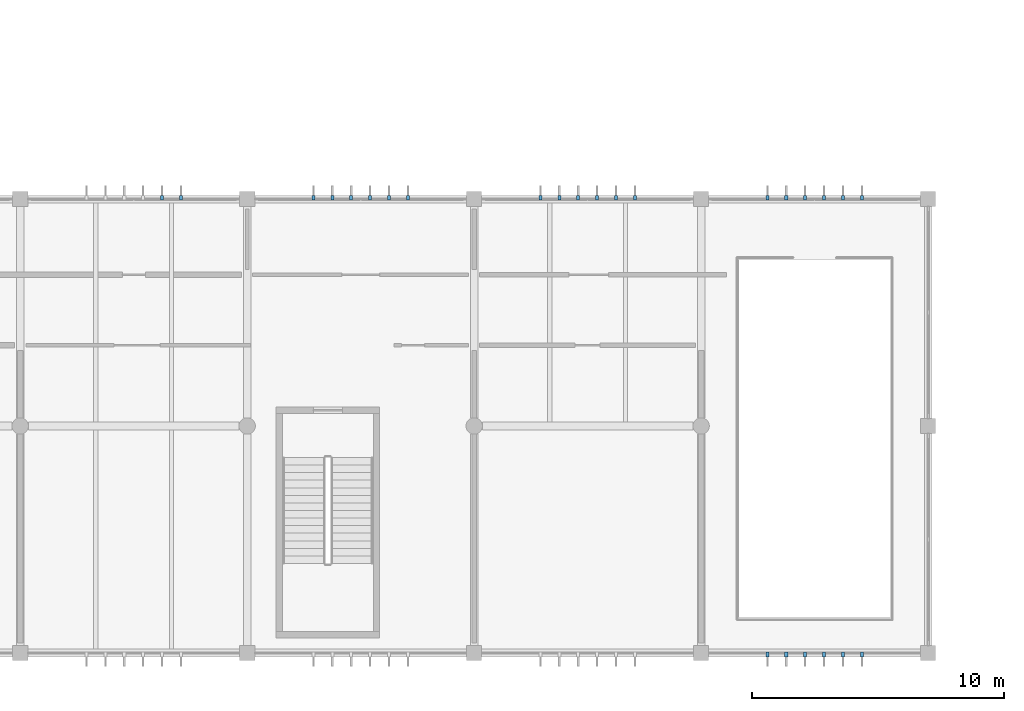
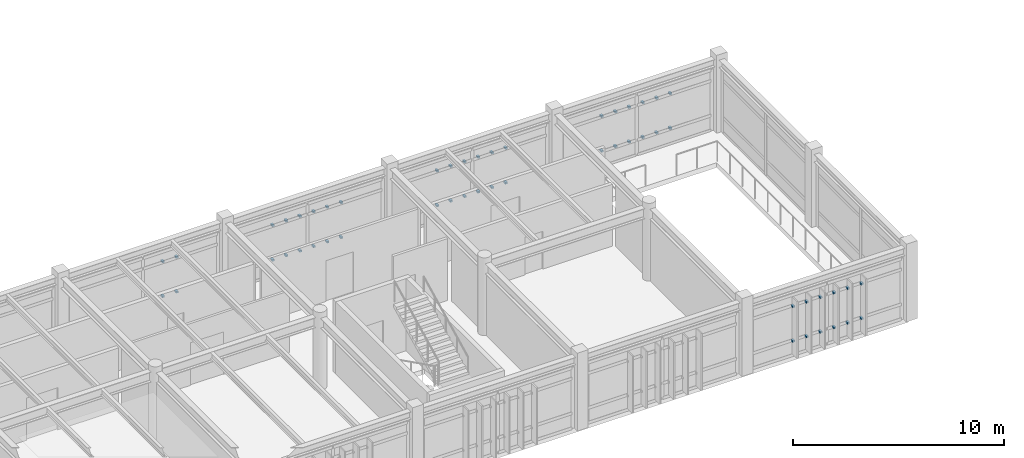
# One storey, part 49 of 55: 52 discrete accessories.
"""IFC4 building model written with IfcOpenShell, lengths in metres."""

from ifc_helpers import new_model, si_unit, direction, frame, origin, origin_2d, place, context, subcontext, project, spatial, rectangle, extrude, material, type_object, element, save


model = new_model("IFC4")

# Units and contexts
model_context = context("Model", 3, precision=1e-05, world=origin(), true_north=direction((0.0, 1.0)))
body_context = subcontext(model_context, "Body", "Model", "MODEL_VIEW")
ifc_project = project(units=[si_unit("LENGTHUNIT", "METRE"), si_unit("AREAUNIT", "SQUARE_METRE"), si_unit("VOLUMEUNIT", "CUBIC_METRE"), si_unit("PLANEANGLEUNIT", "RADIAN"), si_unit("MASSUNIT", "GRAM", prefix="KILO")], contexts=[model_context])

# Site, building, storey
site_placement = place(None, origin())
site = spatial("IfcSite", under=ifc_project, at=site_placement, CompositionType="ELEMENT")
building_placement = place(site_placement, origin())
building = spatial("IfcBuilding", under=site, at=building_placement, Name="Bozkorgan Art Gallery", CompositionType="ELEMENT")
storey_placement = place(building_placement, frame((0.0, 0.0, 15.0)))
storey = spatial("IfcBuildingStorey", under=building, at=storey_placement, Name="L03", CompositionType="ELEMENT", Elevation=15.0)

# Discrete accessories
ifc_material = material(Name="Steel S355J2", Category="steel")
discrete_accessory_type = type_object("IfcDiscreteAccessoryType", Name="ACC-BRK-01", PredefinedType="BRACKET", material=ifc_material)
for number, where, z_axis, x_axis, name in (
    (1, (34.625, 20.06005859375, 0.869873046875), (0.0, 0.0, 1.0), (0.0, 1.0, 0.0), "CW-V1-L03-1N-08 solar fin bracket 5B"),
    (2, (34.625, 20.06005859375, 2.875), (0.0, 0.0, 1.0), (0.0, 1.0, 0.0), "CW-V1-L03-1N-08 solar fin bracket 5T"),
    (3, (35.375, 20.06005859375, 0.869873046875), (0.0, 0.0, 1.0), (0.0, 1.0, 0.0), "CW-V1-L03-1N-08 solar fin bracket 6B"),
    (4, (35.375, 20.06005859375, 2.875), (0.0, 0.0, 1.0), (0.0, 1.0, 0.0), "CW-V1-L03-1N-08 solar fin bracket 6T"),
    (5, (40.625, 20.06005859375, 0.869873046875), (0.0, 0.0, 1.0), (0.0, 1.0, 0.0), "CW-V1-L03-1N-10 solar fin bracket 1B"),
    (6, (40.625, 20.06005859375, 2.875), (0.0, 0.0, 1.0), (0.0, 1.0, 0.0), "CW-V1-L03-1N-10 solar fin bracket 1T"),
    (7, (41.375, 20.06005859375, 0.869873046875), (0.0, 0.0, 1.0), (0.0, 1.0, 0.0), "CW-V1-L03-1N-10 solar fin bracket 2B"),
    (8, (41.375, 20.06005859375, 2.875), (0.0, 0.0, 1.0), (0.0, 1.0, 0.0), "CW-V1-L03-1N-10 solar fin bracket 2T"),
    (9, (42.125, 20.06005859375, 0.869873046875), (0.0, 0.0, 1.0), (0.0, 1.0, 0.0), "CW-V1-L03-1N-10 solar fin bracket 3B"),
    (10, (42.125, 20.06005859375, 2.875), (0.0, 0.0, 1.0), (0.0, 1.0, 0.0), "CW-V1-L03-1N-10 solar fin bracket 3T"),
    (11, (42.875, 20.06005859375, 0.869873046875), (0.0, 0.0, 1.0), (0.0, 1.0, 0.0), "CW-V1-L03-1N-10 solar fin bracket 4B"),
    (12, (42.875, 20.06005859375, 2.875), (0.0, 0.0, 1.0), (0.0, 1.0, 0.0), "CW-V1-L03-1N-10 solar fin bracket 4T"),
    (13, (43.625, 20.06005859375, 0.869873046875), (0.0, 0.0, 1.0), (0.0, 1.0, 0.0), "CW-V1-L03-1N-10 solar fin bracket 5B"),
    (14, (43.625, 20.06005859375, 2.875), (0.0, 0.0, 1.0), (0.0, 1.0, 0.0), "CW-V1-L03-1N-10 solar fin bracket 5T"),
    (15, (44.375, 20.06005859375, 0.869873046875), (0.0, 0.0, 1.0), (0.0, 1.0, 0.0), "CW-V1-L03-1N-10 solar fin bracket 6B"),
    (16, (44.375, 20.06005859375, 2.875), (0.0, 0.0, 1.0), (0.0, 1.0, 0.0), "CW-V1-L03-1N-10 solar fin bracket 6T"),
    (17, (49.625, 20.06005859375, 0.869873046875), (0.0, 0.0, 1.0), (0.0, 1.0, 0.0), "CW-V1-L03-1N-12 solar fin bracket 1B"),
    (18, (49.625, 20.06005859375, 2.875), (0.0, 0.0, 1.0), (0.0, 1.0, 0.0), "CW-V1-L03-1N-12 solar fin bracket 1T"),
    (19, (50.375, 20.06005859375, 0.869873046875), (0.0, 0.0, 1.0), (0.0, 1.0, 0.0), "CW-V1-L03-1N-12 solar fin bracket 2B"),
    (20, (50.375, 20.06005859375, 2.875), (0.0, 0.0, 1.0), (0.0, 1.0, 0.0), "CW-V1-L03-1N-12 solar fin bracket 2T"),
    (21, (51.125, 20.06005859375, 0.869873046875), (0.0, 0.0, 1.0), (0.0, 1.0, 0.0), "CW-V1-L03-1N-12 solar fin bracket 3B"),
    (22, (51.125, 20.06005859375, 2.875), (0.0, 0.0, 1.0), (0.0, 1.0, 0.0), "CW-V1-L03-1N-12 solar fin bracket 3T"),
    (23, (51.875, 20.06005859375, 0.869873046875), (0.0, 0.0, 1.0), (0.0, 1.0, 0.0), "CW-V1-L03-1N-12 solar fin bracket 4B"),
    (24, (51.875, 20.06005859375, 2.875), (0.0, 0.0, 1.0), (0.0, 1.0, 0.0), "CW-V1-L03-1N-12 solar fin bracket 4T"),
    (25, (52.625, 20.06005859375, 0.869873046875), (0.0, 0.0, 1.0), (0.0, 1.0, 0.0), "CW-V1-L03-1N-12 solar fin bracket 5B"),
    (26, (52.625, 20.06005859375, 2.875), (0.0, 0.0, 1.0), (0.0, 1.0, 0.0), "CW-V1-L03-1N-12 solar fin bracket 5T"),
    (27, (53.375, 20.06005859375, 0.869873046875), (0.0, 0.0, 1.0), (0.0, 1.0, 0.0), "CW-V1-L03-1N-12 solar fin bracket 6B"),
    (28, (53.375, 20.06005859375, 2.875), (0.0, 0.0, 1.0), (0.0, 1.0, 0.0), "CW-V1-L03-1N-12 solar fin bracket 6T"),
    (29, (58.625, 1.93994140625, 0.869873046875), (0.0, 0.0, 1.0), (0.0, -1.0, 0.0), "CW-V1-L03-1S-13 solar fin bracket 1B"),
    (30, (58.625, 1.93994140625, 2.875), (0.0, 0.0, 1.0), (0.0, -1.0, 0.0), "CW-V1-L03-1S-13 solar fin bracket 1T"),
    (31, (59.375, 1.93994140625, 0.869873046875), (0.0, 0.0, 1.0), (0.0, -1.0, 0.0), "CW-V1-L03-1S-13 solar fin bracket 2B"),
    (32, (59.375, 1.93994140625, 2.875), (0.0, 0.0, 1.0), (0.0, -1.0, 0.0), "CW-V1-L03-1S-13 solar fin bracket 2T"),
    (33, (60.125, 1.93994140625, 0.869873046875), (0.0, 0.0, 1.0), (0.0, -1.0, 0.0), "CW-V1-L03-1S-13 solar fin bracket 3B"),
    (34, (60.125, 1.93994140625, 2.875), (0.0, 0.0, 1.0), (0.0, -1.0, 0.0), "CW-V1-L03-1S-13 solar fin bracket 3T"),
    (35, (60.875, 1.93994140625, 0.869873046875), (0.0, 0.0, 1.0), (0.0, -1.0, 0.0), "CW-V1-L03-1S-13 solar fin bracket 4B"),
    (36, (60.875, 1.93994140625, 2.875), (0.0, 0.0, 1.0), (0.0, -1.0, 0.0), "CW-V1-L03-1S-13 solar fin bracket 4T"),
    (37, (61.625, 1.93994140625, 0.869873046875), (0.0, 0.0, 1.0), (0.0, -1.0, 0.0), "CW-V1-L03-1S-13 solar fin bracket 5B"),
    (38, (61.625, 1.93994140625, 2.875), (0.0, 0.0, 1.0), (0.0, -1.0, 0.0), "CW-V1-L03-1S-13 solar fin bracket 5T"),
    (39, (62.375, 1.93994140625, 0.869873046875), (0.0, 0.0, 1.0), (0.0, -1.0, 0.0), "CW-V1-L03-1S-13 solar fin bracket 6B"),
    (40, (62.375, 1.93994140625, 2.875), (0.0, 0.0, 1.0), (0.0, -1.0, 0.0), "CW-V1-L03-1S-13 solar fin bracket 6T"),
    (41, (58.625, 20.06005859375, 0.869873046875), (0.0, 0.0, 1.0), (0.0, 1.0, 0.0), "CW-V1-L03-1N-14 solar fin bracket 1B"),
    (42, (58.625, 20.06005859375, 2.875), (0.0, 0.0, 1.0), (0.0, 1.0, 0.0), "CW-V1-L03-1N-14 solar fin bracket 1T"),
    (43, (59.375, 20.06005859375, 0.869873046875), (0.0, 0.0, 1.0), (0.0, 1.0, 0.0), "CW-V1-L03-1N-14 solar fin bracket 2B"),
    (44, (59.375, 20.06005859375, 2.875), (0.0, 0.0, 1.0), (0.0, 1.0, 0.0), "CW-V1-L03-1N-14 solar fin bracket 2T"),
    (45, (60.125, 20.06005859375, 0.869873046875), (0.0, 0.0, 1.0), (0.0, 1.0, 0.0), "CW-V1-L03-1N-14 solar fin bracket 3B"),
    (46, (60.125, 20.06005859375, 2.875), (0.0, 0.0, 1.0), (0.0, 1.0, 0.0), "CW-V1-L03-1N-14 solar fin bracket 3T"),
    (47, (60.875, 20.06005859375, 0.869873046875), (0.0, 0.0, 1.0), (0.0, 1.0, 0.0), "CW-V1-L03-1N-14 solar fin bracket 4B"),
    (48, (60.875, 20.06005859375, 2.875), (0.0, 0.0, 1.0), (0.0, 1.0, 0.0), "CW-V1-L03-1N-14 solar fin bracket 4T"),
    (49, (61.625, 20.06005859375, 0.869873046875), (0.0, 0.0, 1.0), (0.0, 1.0, 0.0), "CW-V1-L03-1N-14 solar fin bracket 5B"),
    (50, (61.625, 20.06005859375, 2.875), (0.0, 0.0, 1.0), (0.0, 1.0, 0.0), "CW-V1-L03-1N-14 solar fin bracket 5T"),
    (51, (62.375, 20.06005859375, 0.869873046875), (0.0, 0.0, 1.0), (0.0, 1.0, 0.0), "CW-V1-L03-1N-14 solar fin bracket 6B"),
    (52, (62.375, 20.06005859375, 2.875), (0.0, 0.0, 1.0), (0.0, 1.0, 0.0), "CW-V1-L03-1N-14 solar fin bracket 6T"),
):
    element("IfcDiscreteAccessory", number, at=place(storey_placement, frame(where, z_axis=z_axis, x_axis=x_axis)), inside=storey, type_object=discrete_accessory_type, Name=name, PredefinedType="BRACKET", context=body_context, shape_type="SweptSolid", body=[
        extrude(rectangle(XDim=0.179931640625, YDim=0.1201171875, at=origin_2d()), origin(), (0.0, 0.0, 1.0), 0.10009765625),
    ])

save(model, "model.ifc")
